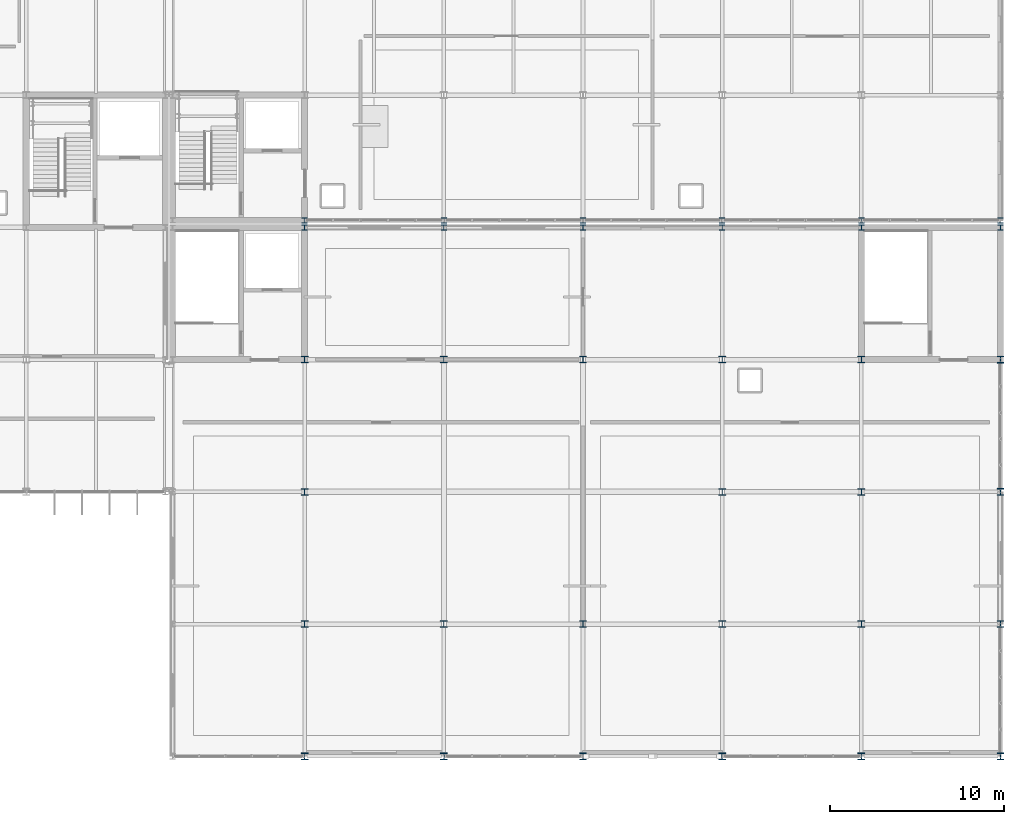
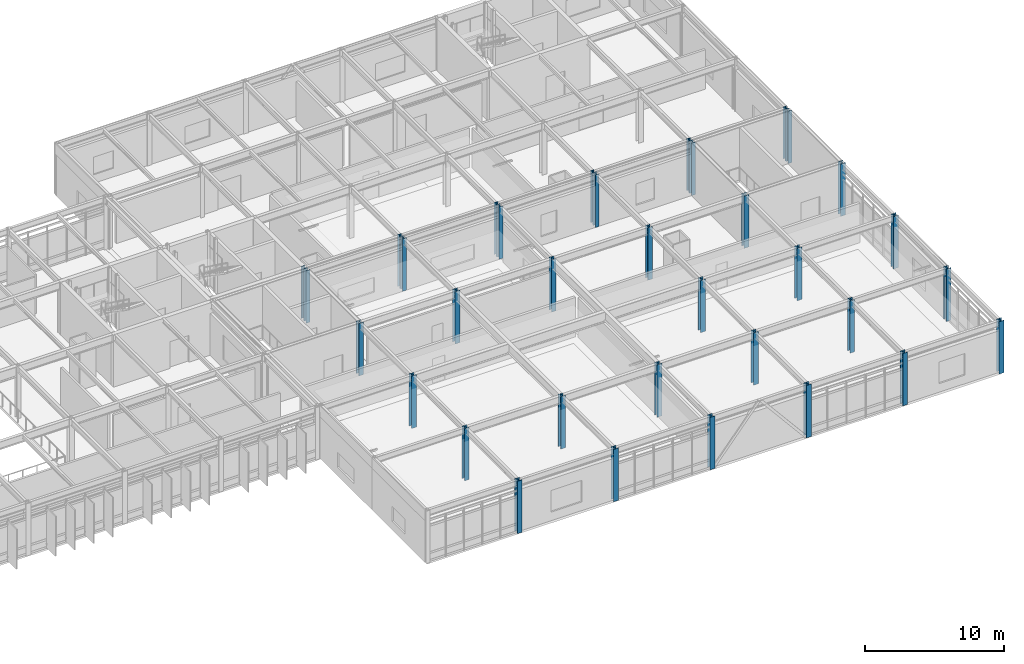
# One storey, part 16 of 104: 34 columns.
"""IFC4 building model written with IfcOpenShell, lengths in metres."""

from ifc_helpers import new_model, si_unit, direction, frame, origin, origin_2d, place, context, subcontext, project, spatial, i_section, extrude, material, material_profile, profile_set, type_object, element, save


model = new_model("IFC4")

# Units and contexts
model_context = context("Model", 3, precision=1e-05, world=origin(), true_north=direction((0.0, 1.0)))
body_context = subcontext(model_context, "Body", "Model", "MODEL_VIEW")
ifc_project = project(units=[si_unit("LENGTHUNIT", "METRE"), si_unit("AREAUNIT", "SQUARE_METRE"), si_unit("VOLUMEUNIT", "CUBIC_METRE"), si_unit("PLANEANGLEUNIT", "RADIAN"), si_unit("MASSUNIT", "GRAM", prefix="KILO")], contexts=[model_context])

# Site, building, storey
site_placement = place(None, origin())
site = spatial("IfcSite", under=ifc_project, at=site_placement, CompositionType="ELEMENT")
building_placement = place(site_placement, origin())
building = spatial("IfcBuilding", under=site, at=building_placement, Name="Zulena Civic Courthouse", CompositionType="ELEMENT")
storey_placement = place(building_placement, frame((0.0, 0.0, 15.60009765625)))
storey = spatial("IfcBuildingStorey", under=building, at=storey_placement, Name="L03", CompositionType="ELEMENT", Elevation=15.60009765625)

# Columns
ifc_material = material(Name="Steel ASTM A992 Grade 50", Category="steel")
ifc_material_profile_1 = material_profile(ifc_material, i_section(OverallWidth=0.31298828125, OverallDepth=0.3330078125, WebThickness=0.01806640625, FlangeThickness=0.0283203125, FilletRadius=0.01513671875, at=origin_2d()), Name="W12X120")
ifc_profile_set_1 = profile_set([ifc_material_profile_1], Name="Steel ASTM A992 Grade 50")
column_type_1 = type_object("IfcColumnType", Name="Col_W12X120", PredefinedType="COLUMN", material=ifc_profile_set_1)
for number, where, z_axis, x_axis, name in (
    (1, (132.0, 30.39990234375, 0.0), (0.0, 0.0, 1.0), (1.0, 0.0, 0.0), "col:V1:L03:132.0:30.4"),
    (2, (140.0, 30.39990234375, 0.0), (0.0, 0.0, 1.0), (1.0, 0.0, 0.0), "col:V1:L03:140.0:30.4"),
    (3, (148.0, 30.39990234375, 0.0), (0.0, 0.0, 1.0), (1.0, 0.0, 0.0), "col:V1:L03:148.0:30.4"),
    (4, (156.0, 30.39990234375, 0.0), (0.0, 0.0, 1.0), (1.0, 0.0, 0.0), "col:V1:L03:156.0:30.4"),
    (5, (164.0, 30.39990234375, 0.0), (0.0, 0.0, 1.0), (1.0, 0.0, 0.0), "col:V1:L03:164.0:30.4"),
    (6, (172.0, 30.39990234375, 0.0), (0.0, 0.0, 1.0), (1.0, 0.0, 0.0), "col:V1:L03:172.0:30.4"),
):
    element("IfcColumn", number, at=place(storey_placement, frame(where, z_axis=z_axis, x_axis=x_axis)), inside=storey, type_object=column_type_1, Name=name, PredefinedType="COLUMN", context=body_context, shape_type="SweptSolid", body=[
        extrude(i_section(OverallWidth=0.31298828125, OverallDepth=0.3330078125, WebThickness=0.01806640625, FlangeThickness=0.0283203125, FilletRadius=0.01513671875, at=origin_2d()), origin(), (0.0, 0.0, 1.0), 4.594970703125),
    ])
for number, where, z_axis, x_axis, name in (
    (7, (132.0, 30.800048828125, 0.0), (0.0, 0.0, 1.0), (1.0, 0.0, 0.0), "col:V3:L03:132.0:30.8"),
    (8, (140.0, 30.800048828125, 0.0), (0.0, 0.0, 1.0), (1.0, 0.0, 0.0), "col:V3:L03:140.0:30.8"),
    (9, (148.0, 30.800048828125, 0.0), (0.0, 0.0, 1.0), (1.0, 0.0, 0.0), "col:V3:L03:148.0:30.8"),
    (10, (156.0, 30.800048828125, 0.0), (0.0, 0.0, 1.0), (1.0, 0.0, 0.0), "col:V3:L03:156.0:30.8"),
    (11, (164.0, 30.800048828125, 0.0), (0.0, 0.0, 1.0), (1.0, 0.0, 0.0), "col:V3:L03:164.0:30.8"),
    (12, (172.0, 30.800048828125, 0.0), (0.0, 0.0, 1.0), (1.0, 0.0, 0.0), "col:V3:L03:172.0:30.8"),
):
    element("IfcColumn", number, at=place(storey_placement, frame(where, z_axis=z_axis, x_axis=x_axis)), inside=storey, type_object=column_type_1, Name=name, PredefinedType="COLUMN", context=body_context, shape_type="SweptSolid", body=[
        extrude(i_section(OverallWidth=0.31298828125, OverallDepth=0.3330078125, WebThickness=0.01806640625, FlangeThickness=0.0283203125, FilletRadius=0.01513671875, at=origin_2d()), origin(), (0.0, 0.0, 1.0), 4.544921875),
    ])
ifc_material_profile_2 = material_profile(ifc_material, i_section(OverallWidth=0.39404296875, OverallDepth=0.3759765625, WebThickness=0.017333984375, FlangeThickness=0.027587890625, FilletRadius=0.01513671875, at=origin_2d()), Name="W14X145")
ifc_profile_set_2 = profile_set([ifc_material_profile_2], Name="Steel ASTM A992 Grade 50")
column_type_2 = type_object("IfcColumnType", Name="Col_W14X145", PredefinedType="COLUMN", material=ifc_profile_set_2)
for number, where, z_axis, x_axis, name in (
    (13, (132.0, 7.60009765625, 0.0), (0.0, 0.0, 1.0), (1.0, 0.0, 0.0), "col:V1:L03:132.0:7.6"),
    (14, (132.0, 15.199951171875, 0.0), (0.0, 0.0, 1.0), (1.0, 0.0, 0.0), "col:V1:L03:132.0:15.2"),
    (15, (132.0, 22.800048828125, 0.0), (0.0, 0.0, 1.0), (1.0, 0.0, 0.0), "col:V1:L03:132.0:22.8"),
    (16, (140.0, 7.60009765625, 0.0), (0.0, 0.0, 1.0), (1.0, 0.0, 0.0), "col:V1:L03:140.0:7.6"),
    (17, (140.0, 22.800048828125, 0.0), (0.0, 0.0, 1.0), (1.0, 0.0, 0.0), "col:V1:L03:140.0:22.8"),
    (18, (148.0, 7.60009765625, 0.0), (0.0, 0.0, 1.0), (1.0, 0.0, 0.0), "col:V1:L03:148.0:7.6"),
    (19, (148.0, 22.800048828125, 0.0), (0.0, 0.0, 1.0), (1.0, 0.0, 0.0), "col:V1:L03:148.0:22.8"),
    (20, (156.0, 7.60009765625, 0.0), (0.0, 0.0, 1.0), (1.0, 0.0, 0.0), "col:V1:L03:156.0:7.6"),
    (21, (156.0, 15.199951171875, 0.0), (0.0, 0.0, 1.0), (1.0, 0.0, 0.0), "col:V1:L03:156.0:15.2"),
    (22, (156.0, 22.800048828125, 0.0), (0.0, 0.0, 1.0), (1.0, 0.0, 0.0), "col:V1:L03:156.0:22.8"),
    (23, (164.0, 7.60009765625, 0.0), (0.0, 0.0, 1.0), (1.0, 0.0, 0.0), "col:V1:L03:164.0:7.6"),
    (24, (164.0, 15.199951171875, 0.0), (0.0, 0.0, 1.0), (1.0, 0.0, 0.0), "col:V1:L03:164.0:15.2"),
    (25, (164.0, 22.800048828125, 0.0), (0.0, 0.0, 1.0), (1.0, 0.0, 0.0), "col:V1:L03:164.0:22.8"),
):
    element("IfcColumn", number, at=place(storey_placement, frame(where, z_axis=z_axis, x_axis=x_axis)), inside=storey, type_object=column_type_2, Name=name, PredefinedType="COLUMN", context=body_context, shape_type="SweptSolid", body=[
        extrude(i_section(OverallWidth=0.39404296875, OverallDepth=0.3759765625, WebThickness=0.017333984375, FlangeThickness=0.027587890625, FilletRadius=0.01513671875, at=origin_2d()), origin(), (0.0, 0.0, 1.0), 4.594970703125),
    ])
ifc_material_profile_3 = material_profile(ifc_material, i_section(OverallWidth=0.39892578125, OverallDepth=0.386962890625, WebThickness=0.02099609375, FlangeThickness=0.033203125, FilletRadius=0.01513671875, at=origin_2d()), Name="W14X176")
ifc_profile_set_3 = profile_set([ifc_material_profile_3], Name="Steel ASTM A992 Grade 50")
column_type_3 = type_object("IfcColumnType", Name="Col_W14X176", PredefinedType="COLUMN", material=ifc_profile_set_3)
for number, where, z_axis, x_axis, name in (
    (26, (164.0, 0.0, 0.0), (0.0, 0.0, 1.0), (1.0, 0.0, 0.0), "col:V1:L03:164.0:0.0"),
    (27, (172.0, 0.0, 0.0), (0.0, 0.0, 1.0), (1.0, 0.0, 0.0), "col:V1:L03:172.0:0.0"),
    (28, (172.0, 7.60009765625, 0.0), (0.0, 0.0, 1.0), (1.0, 0.0, 0.0), "col:V1:L03:172.0:7.6"),
    (29, (172.0, 15.199951171875, 0.0), (0.0, 0.0, 1.0), (1.0, 0.0, 0.0), "col:V1:L03:172.0:15.2"),
    (30, (172.0, 22.800048828125, 0.0), (0.0, 0.0, 1.0), (1.0, 0.0, 0.0), "col:V1:L03:172.0:22.8"),
):
    element("IfcColumn", number, at=place(storey_placement, frame(where, z_axis=z_axis, x_axis=x_axis)), inside=storey, type_object=column_type_3, Name=name, PredefinedType="COLUMN", context=body_context, shape_type="SweptSolid", body=[
        extrude(i_section(OverallWidth=0.39892578125, OverallDepth=0.386962890625, WebThickness=0.02099609375, FlangeThickness=0.033203125, FilletRadius=0.01513671875, at=origin_2d()), origin(), (0.0, 0.0, 1.0), 4.594970703125),
    ])
ifc_material_profile_4 = material_profile(ifc_material, i_section(OverallWidth=0.40087890625, OverallDepth=0.39892578125, WebThickness=0.02490234375, FlangeThickness=0.03955078125, FilletRadius=0.01513671875, at=origin_2d()), Name="W14X211")
ifc_profile_set_4 = profile_set([ifc_material_profile_4], Name="Steel ASTM A992 Grade 50")
column_type_4 = type_object("IfcColumnType", Name="Col_W14X211", PredefinedType="COLUMN", material=ifc_profile_set_4)
for number, where, z_axis, x_axis, name in (
    (31, (132.0, 0.0, 0.0), (0.0, 0.0, 1.0), (1.0, 0.0, 0.0), "col:V1:L03:132.0:0.0"),
    (32, (140.0, 0.0, 0.0), (0.0, 0.0, 1.0), (1.0, 0.0, 0.0), "col:V1:L03:140.0:0.0"),
    (33, (148.0, 0.0, 0.0), (0.0, 0.0, 1.0), (1.0, 0.0, 0.0), "col:V1:L03:148.0:0.0"),
    (34, (156.0, 0.0, 0.0), (0.0, 0.0, 1.0), (1.0, 0.0, 0.0), "col:V1:L03:156.0:0.0"),
):
    element("IfcColumn", number, at=place(storey_placement, frame(where, z_axis=z_axis, x_axis=x_axis)), inside=storey, type_object=column_type_4, Name=name, PredefinedType="COLUMN", context=body_context, shape_type="SweptSolid", body=[
        extrude(i_section(OverallWidth=0.40087890625, OverallDepth=0.39892578125, WebThickness=0.02490234375, FlangeThickness=0.03955078125, FilletRadius=0.01513671875, at=origin_2d()), origin(), (0.0, 0.0, 1.0), 4.594970703125),
    ])

save(model, "model.ifc")
